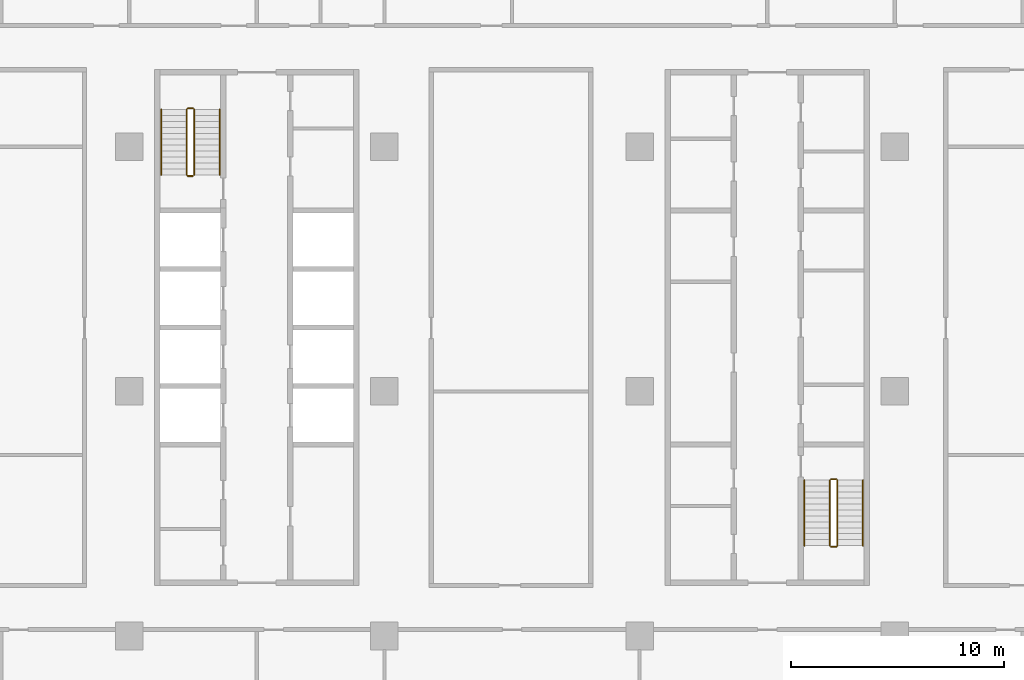
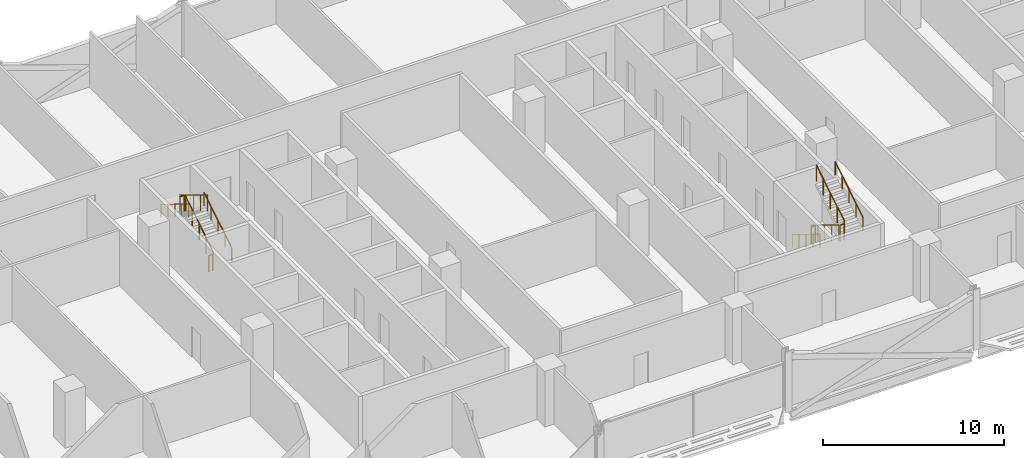
# One storey, part 25 of 28: 12 railings.
"""IFC4 building model written with IfcOpenShell, lengths in metres."""

from ifc_helpers import new_model, si_unit, direction, frame, origin, origin_2d, place, context, subcontext, project, spatial, circle, extrude, material, type_object, element, save


model = new_model("IFC4")

# Units and contexts
model_context = context("Model", 3, precision=1e-05, world=origin(), true_north=direction((0.0, 1.0)))
body_context = subcontext(model_context, "Body", "Model", "MODEL_VIEW")
ifc_project = project(units=[si_unit("LENGTHUNIT", "METRE"), si_unit("AREAUNIT", "SQUARE_METRE"), si_unit("VOLUMEUNIT", "CUBIC_METRE"), si_unit("PLANEANGLEUNIT", "RADIAN"), si_unit("MASSUNIT", "GRAM", prefix="KILO")], contexts=[model_context])

# Site, building, storey
site_placement = place(None, origin())
site = spatial("IfcSite", under=ifc_project, at=site_placement, CompositionType="ELEMENT")
building_placement = place(site_placement, origin())
building = spatial("IfcBuilding", under=site, at=building_placement, Name="Mahtab Terrace Research Tower", CompositionType="ELEMENT")
storey_placement = place(building_placement, frame((0.0, 0.0, 134.300048828125)))
storey = spatial("IfcBuildingStorey", under=building, at=storey_placement, Name="L31", CompositionType="ELEMENT", Elevation=134.300048828125)

# Railings
ifc_material = material(Name="Stainless steel AISI 304", Category="steel")
railing_type_1 = type_object("IfcRailingType", Name="Stair guard 1100", PredefinedType="GUARDRAIL", material=ifc_material)
railing_1_placement = place(storey_placement, frame((-26.949951171875, 10.175048828125, 0.1708984375)))
element("IfcRailing", 1, at=railing_1_placement, inside=storey, type_object=railing_type_1, Name="L31 ST1 stair guard 1", PredefinedType="GUARDRAIL", context=body_context, shape_type="SweptSolid", body=[
    extrude(circle(Radius=0.02392578125, at=origin_2d()), frame((0.0, 0.0, 1.076171875), z_axis=(0.0, 0.853647949592, 0.520850437417), x_axis=(-1.0, 0.0, 0.0)), (0.0, 0.0, 1.0), 3.60791015625),
    extrude(circle(Radius=0.02099609375, at=origin_2d()), origin(), (0.0, 0.0, 1.0), 1.052001953125),
    extrude(circle(Radius=0.02099609375, at=origin_2d()), frame((0.0, 0.77001953125, 0.4697265625)), (0.0, 0.0, 1.0), 1.052001953125),
    extrude(circle(Radius=0.02099609375, at=origin_2d()), frame((0.0, 1.5400390625, 0.939453125)), (0.0, 0.0, 1.0), 1.052001953125),
    extrude(circle(Radius=0.02099609375, at=origin_2d()), frame((0.0, 2.309814453125, 1.409423828125)), (0.0, 0.0, 1.0), 1.052001953125),
    extrude(circle(Radius=0.02099609375, at=origin_2d()), frame((0.0, 3.079833984375, 1.879150390625)), (0.0, 0.0, 1.0), 1.052001953125),
])
railing_2_placement = place(storey_placement, frame((-27.0, 13.304931640625, 2.050048828125)))
element("IfcRailing", 2, at=railing_2_placement, inside=storey, type_object=railing_type_1, Name="L31 ST1 stair guard 2", PredefinedType="GUARDRAIL", context=body_context, shape_type="SweptSolid", body=[
    extrude(circle(Radius=0.02392578125, at=origin_2d()), frame((0.0, 0.0, 1.076171875), z_axis=(-1.0, 0.0, 0.0), x_axis=(0.0, -1.0, 0.0)), (0.0, 0.0, 1.0), 0.25),
    extrude(circle(Radius=0.02099609375, at=origin_2d()), origin(), (0.0, 0.0, 1.0), 1.052001953125),
    extrude(circle(Radius=0.02099609375, at=origin_2d()), frame((-0.25, 0.0, 0.0)), (0.0, 0.0, 1.0), 1.052001953125),
])
railing_3_placement = place(storey_placement, frame((-27.300048828125, 13.2548828125, 2.220703125)))
element("IfcRailing", 3, at=railing_3_placement, inside=storey, type_object=railing_type_1, Name="L31 ST1 stair guard 3", PredefinedType="GUARDRAIL", context=body_context, shape_type="SweptSolid", body=[
    extrude(circle(Radius=0.02392578125, at=origin_2d()), frame((0.0, 0.0, 1.076171875), z_axis=(0.0, -0.853647949592, 0.520850437417), x_axis=(1.0, 0.0, 0.0)), (0.0, 0.0, 1.0), 3.60791015625),
    extrude(circle(Radius=0.02099609375, at=origin_2d()), origin(), (0.0, 0.0, 1.0), 1.052001953125),
    extrude(circle(Radius=0.02099609375, at=origin_2d()), frame((0.0, -0.77001953125, 0.4697265625)), (0.0, 0.0, 1.0), 1.052001953125),
    extrude(circle(Radius=0.02099609375, at=origin_2d()), frame((0.0, -1.5400390625, 0.939453125)), (0.0, 0.0, 1.0), 1.052001953125),
    extrude(circle(Radius=0.02099609375, at=origin_2d()), frame((0.0, -2.309814453125, 1.409423828125)), (0.0, 0.0, 1.0), 1.052001953125),
    extrude(circle(Radius=0.02099609375, at=origin_2d()), frame((0.0, -3.079833984375, 1.879150390625)), (0.0, 0.0, 1.0), 1.052001953125),
])
railing_4_placement = place(storey_placement, frame((-27.0, 10.125, 0.0)))
element("IfcRailing", 4, at=railing_4_placement, inside=storey, type_object=railing_type_1, Name="L31 ST1 stair guard 4", PredefinedType="GUARDRAIL", context=body_context, shape_type="SweptSolid", body=[
    extrude(circle(Radius=0.02392578125, at=origin_2d()), frame((0.0, 0.0, 1.076171875), z_axis=(-1.0, 0.0, 0.0), x_axis=(0.0, -1.0, 0.0)), (0.0, 0.0, 1.0), 0.25),
    extrude(circle(Radius=0.02099609375, at=origin_2d()), origin(), (0.0, 0.0, 1.0), 1.052001953125),
    extrude(circle(Radius=0.02099609375, at=origin_2d()), frame((-0.25, 0.0, 0.0)), (0.0, 0.0, 1.0), 1.052001953125),
])
railing_5_placement = place(storey_placement, frame((2.949951171875, -4.175048828125, 0.1708984375)))
element("IfcRailing", 5, at=railing_5_placement, inside=storey, type_object=railing_type_1, Name="L31 ST2 stair guard 1", PredefinedType="GUARDRAIL", context=body_context, shape_type="SweptSolid", body=[
    extrude(circle(Radius=0.02392578125, at=origin_2d()), frame((0.0, 0.0, 1.076171875), z_axis=(0.0, -0.853647949592, 0.520850437417), x_axis=(1.0, 0.0, 0.0)), (0.0, 0.0, 1.0), 3.60791015625),
    extrude(circle(Radius=0.02099609375, at=origin_2d()), origin(), (0.0, 0.0, 1.0), 1.052001953125),
    extrude(circle(Radius=0.02099609375, at=origin_2d()), frame((0.0, -0.77001953125, 0.4697265625)), (0.0, 0.0, 1.0), 1.052001953125),
    extrude(circle(Radius=0.02099609375, at=origin_2d()), frame((0.0, -1.5400390625, 0.939453125)), (0.0, 0.0, 1.0), 1.052001953125),
    extrude(circle(Radius=0.02099609375, at=origin_2d()), frame((0.0, -2.309814453125, 1.409423828125)), (0.0, 0.0, 1.0), 1.052001953125),
    extrude(circle(Radius=0.02099609375, at=origin_2d()), frame((0.0, -3.079833984375, 1.879150390625)), (0.0, 0.0, 1.0), 1.052001953125),
])
railing_6_placement = place(storey_placement, frame((3.0, -7.304931640625, 2.050048828125)))
element("IfcRailing", 6, at=railing_6_placement, inside=storey, type_object=railing_type_1, Name="L31 ST2 stair guard 2", PredefinedType="GUARDRAIL", context=body_context, shape_type="SweptSolid", body=[
    extrude(circle(Radius=0.02392578125, at=origin_2d()), frame((0.0, 0.0, 1.076171875), z_axis=(1.0, 0.0, 0.0), x_axis=(0.0, 1.0, 0.0)), (0.0, 0.0, 1.0), 0.25),
    extrude(circle(Radius=0.02099609375, at=origin_2d()), origin(), (0.0, 0.0, 1.0), 1.052001953125),
    extrude(circle(Radius=0.02099609375, at=origin_2d()), frame((0.25, 0.0, 0.0)), (0.0, 0.0, 1.0), 1.052001953125),
])
railing_7_placement = place(storey_placement, frame((3.300048828125, -7.2548828125, 2.220703125)))
element("IfcRailing", 7, at=railing_7_placement, inside=storey, type_object=railing_type_1, Name="L31 ST2 stair guard 3", PredefinedType="GUARDRAIL", context=body_context, shape_type="SweptSolid", body=[
    extrude(circle(Radius=0.02392578125, at=origin_2d()), frame((0.0, 0.0, 1.076171875), z_axis=(0.0, 0.853647949592, 0.520850437417), x_axis=(-1.0, 0.0, 0.0)), (0.0, 0.0, 1.0), 3.60791015625),
    extrude(circle(Radius=0.02099609375, at=origin_2d()), origin(), (0.0, 0.0, 1.0), 1.052001953125),
    extrude(circle(Radius=0.02099609375, at=origin_2d()), frame((0.0, 0.77001953125, 0.4697265625)), (0.0, 0.0, 1.0), 1.052001953125),
    extrude(circle(Radius=0.02099609375, at=origin_2d()), frame((0.0, 1.5400390625, 0.939453125)), (0.0, 0.0, 1.0), 1.052001953125),
    extrude(circle(Radius=0.02099609375, at=origin_2d()), frame((0.0, 2.309814453125, 1.409423828125)), (0.0, 0.0, 1.0), 1.052001953125),
    extrude(circle(Radius=0.02099609375, at=origin_2d()), frame((0.0, 3.079833984375, 1.879150390625)), (0.0, 0.0, 1.0), 1.052001953125),
])
railing_8_placement = place(storey_placement, frame((3.0, -4.125, 0.0)))
element("IfcRailing", 8, at=railing_8_placement, inside=storey, type_object=railing_type_1, Name="L31 ST2 stair guard 4", PredefinedType="GUARDRAIL", context=body_context, shape_type="SweptSolid", body=[
    extrude(circle(Radius=0.02392578125, at=origin_2d()), frame((0.0, 0.0, 1.076171875), z_axis=(1.0, 0.0, 0.0), x_axis=(0.0, 1.0, 0.0)), (0.0, 0.0, 1.0), 0.25),
    extrude(circle(Radius=0.02099609375, at=origin_2d()), origin(), (0.0, 0.0, 1.0), 1.052001953125),
    extrude(circle(Radius=0.02099609375, at=origin_2d()), frame((0.25, 0.0, 0.0)), (0.0, 0.0, 1.0), 1.052001953125),
])
railing_type_2 = type_object("IfcRailingType", Name="Stair handrail 900", PredefinedType="HANDRAIL", material=ifc_material)
railing_9_placement = place(storey_placement, frame((-25.75, 10.175048828125, 0.1708984375)))
element("IfcRailing", 9, at=railing_9_placement, inside=storey, type_object=railing_type_2, Name="L31 ST1 stair handrail 1", PredefinedType="HANDRAIL", context=body_context, shape_type="SweptSolid", body=[
    extrude(circle(Radius=0.02392578125, at=origin_2d()), frame((0.0, 0.0, 0.8759765625), z_axis=(0.0, 0.853647949592, 0.520850437417), x_axis=(-1.0, 0.0, 0.0)), (0.0, 0.0, 1.0), 3.60791015625),
    extrude(circle(Radius=0.02099609375, at=origin_2d()), origin(), (0.0, 0.0, 1.0), 0.851806640625),
    extrude(circle(Radius=0.02099609375, at=origin_2d()), frame((0.0, 0.77001953125, 0.4697265625)), (0.0, 0.0, 1.0), 0.851806640625),
    extrude(circle(Radius=0.02099609375, at=origin_2d()), frame((0.0, 1.5400390625, 0.939453125)), (0.0, 0.0, 1.0), 0.851806640625),
    extrude(circle(Radius=0.02099609375, at=origin_2d()), frame((0.0, 2.309814453125, 1.409423828125)), (0.0, 0.0, 1.0), 0.851806640625),
    extrude(circle(Radius=0.02099609375, at=origin_2d()), frame((0.0, 3.079833984375, 1.879150390625)), (0.0, 0.0, 1.0), 0.851806640625),
])
for number, where, name in (
    (10, (-28.5, 13.2548828125, 2.220703125), "L31 ST1 stair handrail 2"),
    (11, (1.75, -4.175048828125, 0.1708984375), "L31 ST2 stair handrail 1"),
):
    element("IfcRailing", number, at=place(storey_placement, frame(where)), inside=storey, type_object=railing_type_2, Name=name, PredefinedType="HANDRAIL", context=body_context, shape_type="SweptSolid", body=[
        extrude(circle(Radius=0.02392578125, at=origin_2d()), frame((0.0, 0.0, 0.8759765625), z_axis=(0.0, -0.853647949592, 0.520850437417), x_axis=(1.0, 0.0, 0.0)), (0.0, 0.0, 1.0), 3.60791015625),
        extrude(circle(Radius=0.02099609375, at=origin_2d()), origin(), (0.0, 0.0, 1.0), 0.851806640625),
        extrude(circle(Radius=0.02099609375, at=origin_2d()), frame((0.0, -0.77001953125, 0.4697265625)), (0.0, 0.0, 1.0), 0.851806640625),
        extrude(circle(Radius=0.02099609375, at=origin_2d()), frame((0.0, -1.5400390625, 0.939453125)), (0.0, 0.0, 1.0), 0.851806640625),
        extrude(circle(Radius=0.02099609375, at=origin_2d()), frame((0.0, -2.309814453125, 1.409423828125)), (0.0, 0.0, 1.0), 0.851806640625),
        extrude(circle(Radius=0.02099609375, at=origin_2d()), frame((0.0, -3.079833984375, 1.879150390625)), (0.0, 0.0, 1.0), 0.851806640625),
    ])
railing_10_placement = place(storey_placement, frame((4.5, -7.2548828125, 2.220703125)))
element("IfcRailing", 12, at=railing_10_placement, inside=storey, type_object=railing_type_2, Name="L31 ST2 stair handrail 2", PredefinedType="HANDRAIL", context=body_context, shape_type="SweptSolid", body=[
    extrude(circle(Radius=0.02392578125, at=origin_2d()), frame((0.0, 0.0, 0.8759765625), z_axis=(0.0, 0.853647949592, 0.520850437417), x_axis=(-1.0, 0.0, 0.0)), (0.0, 0.0, 1.0), 3.60791015625),
    extrude(circle(Radius=0.02099609375, at=origin_2d()), origin(), (0.0, 0.0, 1.0), 0.851806640625),
    extrude(circle(Radius=0.02099609375, at=origin_2d()), frame((0.0, 0.77001953125, 0.4697265625)), (0.0, 0.0, 1.0), 0.851806640625),
    extrude(circle(Radius=0.02099609375, at=origin_2d()), frame((0.0, 1.5400390625, 0.939453125)), (0.0, 0.0, 1.0), 0.851806640625),
    extrude(circle(Radius=0.02099609375, at=origin_2d()), frame((0.0, 2.309814453125, 1.409423828125)), (0.0, 0.0, 1.0), 0.851806640625),
    extrude(circle(Radius=0.02099609375, at=origin_2d()), frame((0.0, 3.079833984375, 1.879150390625)), (0.0, 0.0, 1.0), 0.851806640625),
])

save(model, "model.ifc")
